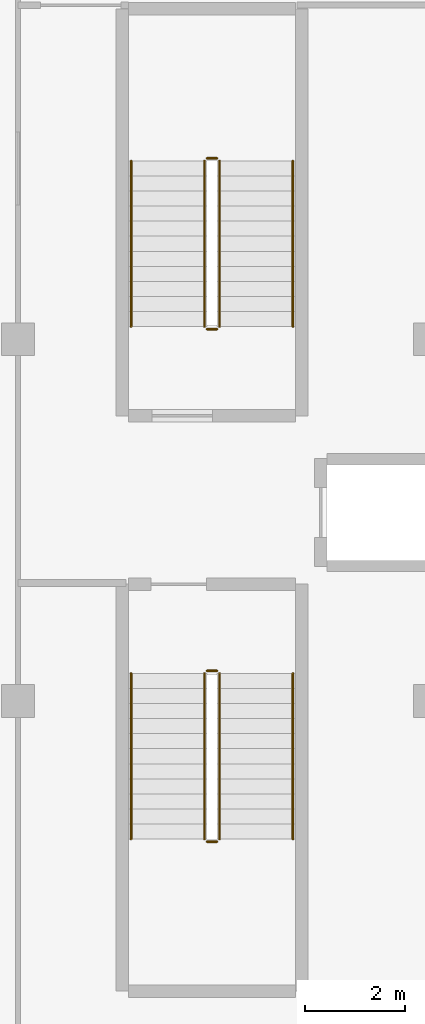
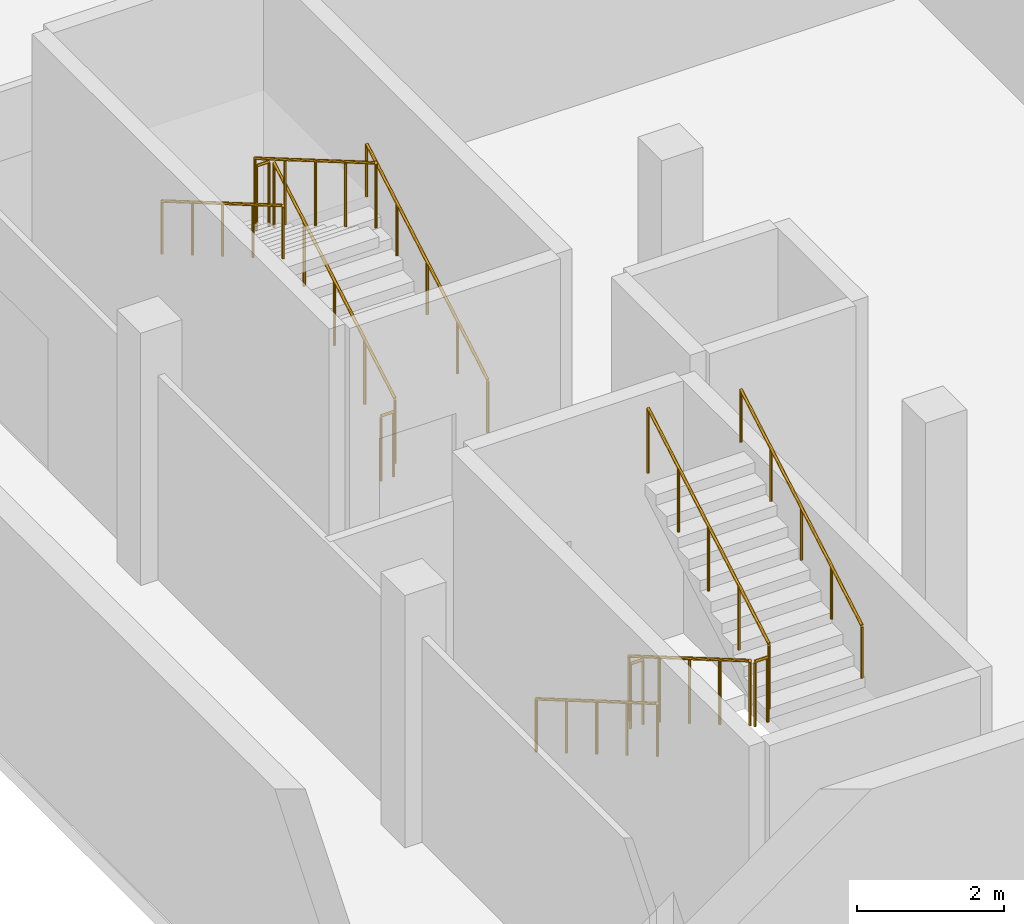
# One storey, part 14 of 15: 12 railings.
"""IFC4 building model written with IfcOpenShell, lengths in metres."""

from ifc_helpers import new_model, si_unit, direction, frame, origin, origin_2d, place, context, subcontext, project, spatial, circle, extrude, material, type_object, element, save


model = new_model("IFC4")

# Units and contexts
model_context = context("Model", 3, precision=1e-05, world=origin(), true_north=direction((0.0, 1.0)))
body_context = subcontext(model_context, "Body", "Model", "MODEL_VIEW")
ifc_project = project(units=[si_unit("LENGTHUNIT", "METRE"), si_unit("AREAUNIT", "SQUARE_METRE"), si_unit("VOLUMEUNIT", "CUBIC_METRE"), si_unit("PLANEANGLEUNIT", "RADIAN"), si_unit("MASSUNIT", "GRAM", prefix="KILO")], contexts=[model_context])

# Site, building, storey
site_placement = place(None, origin())
site = spatial("IfcSite", under=ifc_project, at=site_placement, CompositionType="ELEMENT")
building_placement = place(site_placement, origin())
building = spatial("IfcBuilding", under=site, at=building_placement, Name="Quillay Park Conservatory", CompositionType="ELEMENT")
storey_placement = place(building_placement, frame((0.0, 0.0, -4.199951171875)))
storey = spatial("IfcBuildingStorey", under=building, at=storey_placement, Name="B1", CompositionType="ELEMENT", Elevation=-4.199951171875)

# Railings
ifc_material_1 = material(Name="Steel S355J2H", Category="steel")
railing_type_1 = type_object("IfcRailingType", Name="STAIR WALL HANDRAIL 900", PredefinedType="HANDRAIL", material=ifc_material_1)
railing_1_placement = place(storey_placement, frame((150.25, 92.949951171875, 0.175048828125)))
element("IfcRailing", 1, at=railing_1_placement, inside=storey, type_object=railing_type_1, Name="B1 ST-A1 stair handrail 1", PredefinedType="HANDRAIL", context=body_context, shape_type="SweptSolid", body=[
    extrude(circle(Radius=0.02392578125, at=origin_2d()), frame((0.0, 0.0, 0.8759765625), z_axis=(0.0, -0.863804395585, 0.503827317807), x_axis=(1.0, 0.0, 0.0)), (0.0, 0.0, 1.0), 3.8203125),
    extrude(circle(Radius=0.02099609375, at=origin_2d()), origin(), (0.0, 0.0, 1.0), 0.851806640625),
    extrude(circle(Radius=0.02099609375, at=origin_2d()), frame((0.0, -0.824951171875, 0.481201171875)), (0.0, 0.0, 1.0), 0.851806640625),
    extrude(circle(Radius=0.02099609375, at=origin_2d()), frame((0.0, -1.64990234375, 0.96240234375)), (0.0, 0.0, 1.0), 0.851806640625),
    extrude(circle(Radius=0.02099609375, at=origin_2d()), frame((0.0, -2.47509765625, 1.443603515625)), (0.0, 0.0, 1.0), 0.851806640625),
    extrude(circle(Radius=0.02099609375, at=origin_2d()), frame((0.0, -3.300048828125, 1.9248046875)), (0.0, 0.0, 1.0), 0.851806640625),
])
railing_2_placement = place(storey_placement, frame((153.469970703125, 89.64990234375, 2.27490234375)))
element("IfcRailing", 2, at=railing_2_placement, inside=storey, type_object=railing_type_1, Name="B1 ST-A1 stair handrail 2", PredefinedType="HANDRAIL", context=body_context, shape_type="SweptSolid", body=[
    extrude(circle(Radius=0.02392578125, at=origin_2d()), frame((0.0, 0.0, 0.8759765625), z_axis=(0.0, 0.863776583165, 0.503874998761), x_axis=(-1.0, 0.0, 0.0)), (0.0, 0.0, 1.0), 3.820556640625),
    extrude(circle(Radius=0.02099609375, at=origin_2d()), origin(), (0.0, 0.0, 1.0), 0.851806640625),
    extrude(circle(Radius=0.02099609375, at=origin_2d()), frame((0.0, 0.824951171875, 0.481201171875)), (0.0, 0.0, 1.0), 0.851806640625),
    extrude(circle(Radius=0.02099609375, at=origin_2d()), frame((0.0, 1.64990234375, 0.96240234375)), (0.0, 0.0, 1.0), 0.851806640625),
    extrude(circle(Radius=0.02099609375, at=origin_2d()), frame((0.0, 2.47509765625, 1.44384765625)), (0.0, 0.0, 1.0), 0.851806640625),
    extrude(circle(Radius=0.02099609375, at=origin_2d()), frame((0.0, 3.300048828125, 1.925048828125)), (0.0, 0.0, 1.0), 0.851806640625),
])
railing_3_placement = place(storey_placement, frame((153.469970703125, 99.85009765625, 0.175048828125)))
element("IfcRailing", 3, at=railing_3_placement, inside=storey, type_object=railing_type_1, Name="B1 ST-A2 stair handrail 1", PredefinedType="HANDRAIL", context=body_context, shape_type="SweptSolid", body=[
    extrude(circle(Radius=0.02392578125, at=origin_2d()), frame((0.0, 0.0, 0.8759765625), z_axis=(0.0, 0.863788172461, 0.503855131081), x_axis=(-1.0, 0.0, 0.0)), (0.0, 0.0, 1.0), 3.820068359375),
    extrude(circle(Radius=0.02099609375, at=origin_2d()), origin(), (0.0, 0.0, 1.0), 0.851806640625),
    extrude(circle(Radius=0.02099609375, at=origin_2d()), frame((0.0, 0.824951171875, 0.481201171875)), (0.0, 0.0, 1.0), 0.851806640625),
    extrude(circle(Radius=0.02099609375, at=origin_2d()), frame((0.0, 1.64990234375, 0.96240234375)), (0.0, 0.0, 1.0), 0.851806640625),
    extrude(circle(Radius=0.02099609375, at=origin_2d()), frame((0.0, 2.474853515625, 1.443603515625)), (0.0, 0.0, 1.0), 0.851806640625),
    extrude(circle(Radius=0.02099609375, at=origin_2d()), frame((0.0, 3.2998046875, 1.9248046875)), (0.0, 0.0, 1.0), 0.851806640625),
])
railing_4_placement = place(storey_placement, frame((150.25, 103.14990234375, 2.27490234375)))
element("IfcRailing", 4, at=railing_4_placement, inside=storey, type_object=railing_type_1, Name="B1 ST-A2 stair handrail 2", PredefinedType="HANDRAIL", context=body_context, shape_type="SweptSolid", body=[
    extrude(circle(Radius=0.02392578125, at=origin_2d()), frame((0.0, 0.0, 0.8759765625), z_axis=(0.0, -0.863760357493, 0.503902812876), x_axis=(1.0, 0.0, 0.0)), (0.0, 0.0, 1.0), 3.8203125),
    extrude(circle(Radius=0.02099609375, at=origin_2d()), origin(), (0.0, 0.0, 1.0), 0.851806640625),
    extrude(circle(Radius=0.02099609375, at=origin_2d()), frame((0.0, -0.824951171875, 0.481201171875)), (0.0, 0.0, 1.0), 0.851806640625),
    extrude(circle(Radius=0.02099609375, at=origin_2d()), frame((0.0, -1.64990234375, 0.96240234375)), (0.0, 0.0, 1.0), 0.851806640625),
    extrude(circle(Radius=0.02099609375, at=origin_2d()), frame((0.0, -2.474853515625, 1.44384765625)), (0.0, 0.0, 1.0), 0.851806640625),
    extrude(circle(Radius=0.02099609375, at=origin_2d()), frame((0.0, -3.2998046875, 1.925048828125)), (0.0, 0.0, 1.0), 0.851806640625),
])
ifc_material_2 = material(Name="Steel S355J2H", Category="steel")
railing_type_2 = type_object("IfcRailingType", Name="STAIR WELL GUARDRAIL 1100", PredefinedType="GUARDRAIL", material=ifc_material_2)
railing_5_placement = place(storey_placement, frame((151.7099609375, 92.949951171875, 0.175048828125)))
element("IfcRailing", 5, at=railing_5_placement, inside=storey, type_object=railing_type_2, Name="B1 ST-A1 stair guard 1", PredefinedType="GUARDRAIL", context=body_context, shape_type="SweptSolid", body=[
    extrude(circle(Radius=0.02392578125, at=origin_2d()), frame((0.0, 0.0, 1.076171875), z_axis=(0.0, -0.863804395585, 0.503827317807), x_axis=(1.0, 0.0, 0.0)), (0.0, 0.0, 1.0), 3.8203125),
    extrude(circle(Radius=0.02099609375, at=origin_2d()), origin(), (0.0, 0.0, 1.0), 1.052001953125),
    extrude(circle(Radius=0.02099609375, at=origin_2d()), frame((0.0, -0.824951171875, 0.481201171875)), (0.0, 0.0, 1.0), 1.052001953125),
    extrude(circle(Radius=0.02099609375, at=origin_2d()), frame((0.0, -1.64990234375, 0.96240234375)), (0.0, 0.0, 1.0), 1.052001953125),
    extrude(circle(Radius=0.02099609375, at=origin_2d()), frame((0.0, -2.47509765625, 1.443603515625)), (0.0, 0.0, 1.0), 1.052001953125),
    extrude(circle(Radius=0.02099609375, at=origin_2d()), frame((0.0, -3.300048828125, 1.9248046875)), (0.0, 0.0, 1.0), 1.052001953125),
])
railing_6_placement = place(storey_placement, frame((151.760009765625, 89.60009765625, 2.099853515625)))
element("IfcRailing", 6, at=railing_6_placement, inside=storey, type_object=railing_type_2, Name="B1 ST-A1 stair guard 2", PredefinedType="GUARDRAIL", context=body_context, shape_type="SweptSolid", body=[
    extrude(circle(Radius=0.02392578125, at=origin_2d()), frame((0.0, 0.0, 1.076171875), z_axis=(1.0, 0.0, 0.0), x_axis=(0.0, 1.0, 0.0)), (0.0, 0.0, 1.0), 0.199951171875),
    extrude(circle(Radius=0.02099609375, at=origin_2d()), origin(), (0.0, 0.0, 1.0), 1.052001953125),
    extrude(circle(Radius=0.02099609375, at=origin_2d()), frame((0.199951171875, 0.0, 0.0)), (0.0, 0.0, 1.0), 1.052001953125),
])
railing_7_placement = place(storey_placement, frame((152.010009765625, 89.64990234375, 2.27490234375)))
element("IfcRailing", 7, at=railing_7_placement, inside=storey, type_object=railing_type_2, Name="B1 ST-A1 stair guard 3", PredefinedType="GUARDRAIL", context=body_context, shape_type="SweptSolid", body=[
    extrude(circle(Radius=0.02392578125, at=origin_2d()), frame((0.0, 0.0, 1.076171875), z_axis=(0.0, 0.863776583165, 0.503874998761), x_axis=(-1.0, 0.0, 0.0)), (0.0, 0.0, 1.0), 3.820556640625),
    extrude(circle(Radius=0.02099609375, at=origin_2d()), origin(), (0.0, 0.0, 1.0), 1.052001953125),
    extrude(circle(Radius=0.02099609375, at=origin_2d()), frame((0.0, 0.824951171875, 0.481201171875)), (0.0, 0.0, 1.0), 1.052001953125),
    extrude(circle(Radius=0.02099609375, at=origin_2d()), frame((0.0, 1.64990234375, 0.96240234375)), (0.0, 0.0, 1.0), 1.052001953125),
    extrude(circle(Radius=0.02099609375, at=origin_2d()), frame((0.0, 2.47509765625, 1.44384765625)), (0.0, 0.0, 1.0), 1.052001953125),
    extrude(circle(Radius=0.02099609375, at=origin_2d()), frame((0.0, 3.300048828125, 1.925048828125)), (0.0, 0.0, 1.0), 1.052001953125),
])
railing_8_placement = place(storey_placement, frame((151.760009765625, 93.0, 0.0)))
element("IfcRailing", 8, at=railing_8_placement, inside=storey, type_object=railing_type_2, Name="B1 ST-A1 stair guard 4", PredefinedType="GUARDRAIL", context=body_context, shape_type="SweptSolid", body=[
    extrude(circle(Radius=0.02392578125, at=origin_2d()), frame((0.0, 0.0, 1.076171875), z_axis=(1.0, 0.0, 0.0), x_axis=(0.0, 1.0, 0.0)), (0.0, 0.0, 1.0), 0.199951171875),
    extrude(circle(Radius=0.02099609375, at=origin_2d()), origin(), (0.0, 0.0, 1.0), 1.052001953125),
    extrude(circle(Radius=0.02099609375, at=origin_2d()), frame((0.199951171875, 0.0, 0.0)), (0.0, 0.0, 1.0), 1.052001953125),
])
railing_9_placement = place(storey_placement, frame((152.010009765625, 99.85009765625, 0.175048828125)))
element("IfcRailing", 9, at=railing_9_placement, inside=storey, type_object=railing_type_2, Name="B1 ST-A2 stair guard 1", PredefinedType="GUARDRAIL", context=body_context, shape_type="SweptSolid", body=[
    extrude(circle(Radius=0.02392578125, at=origin_2d()), frame((0.0, 0.0, 1.076171875), z_axis=(0.0, 0.863788172461, 0.503855131081), x_axis=(-1.0, 0.0, 0.0)), (0.0, 0.0, 1.0), 3.820068359375),
    extrude(circle(Radius=0.02099609375, at=origin_2d()), origin(), (0.0, 0.0, 1.0), 1.052001953125),
    extrude(circle(Radius=0.02099609375, at=origin_2d()), frame((0.0, 0.824951171875, 0.481201171875)), (0.0, 0.0, 1.0), 1.052001953125),
    extrude(circle(Radius=0.02099609375, at=origin_2d()), frame((0.0, 1.64990234375, 0.96240234375)), (0.0, 0.0, 1.0), 1.052001953125),
    extrude(circle(Radius=0.02099609375, at=origin_2d()), frame((0.0, 2.474853515625, 1.443603515625)), (0.0, 0.0, 1.0), 1.052001953125),
    extrude(circle(Radius=0.02099609375, at=origin_2d()), frame((0.0, 3.2998046875, 1.9248046875)), (0.0, 0.0, 1.0), 1.052001953125),
])
railing_10_placement = place(storey_placement, frame((151.9599609375, 103.199951171875, 2.099853515625)))
element("IfcRailing", 10, at=railing_10_placement, inside=storey, type_object=railing_type_2, Name="B1 ST-A2 stair guard 2", PredefinedType="GUARDRAIL", context=body_context, shape_type="SweptSolid", body=[
    extrude(circle(Radius=0.02392578125, at=origin_2d()), frame((0.0, 0.0, 1.076171875), z_axis=(-1.0, 0.0, 0.0), x_axis=(0.0, -1.0, 0.0)), (0.0, 0.0, 1.0), 0.199951171875),
    extrude(circle(Radius=0.02099609375, at=origin_2d()), origin(), (0.0, 0.0, 1.0), 1.052001953125),
    extrude(circle(Radius=0.02099609375, at=origin_2d()), frame((-0.199951171875, 0.0, 0.0)), (0.0, 0.0, 1.0), 1.052001953125),
])
railing_11_placement = place(storey_placement, frame((151.7099609375, 103.14990234375, 2.27490234375)))
element("IfcRailing", 11, at=railing_11_placement, inside=storey, type_object=railing_type_2, Name="B1 ST-A2 stair guard 3", PredefinedType="GUARDRAIL", context=body_context, shape_type="SweptSolid", body=[
    extrude(circle(Radius=0.02392578125, at=origin_2d()), frame((0.0, 0.0, 1.076171875), z_axis=(0.0, -0.863760357493, 0.503902812876), x_axis=(1.0, 0.0, 0.0)), (0.0, 0.0, 1.0), 3.8203125),
    extrude(circle(Radius=0.02099609375, at=origin_2d()), origin(), (0.0, 0.0, 1.0), 1.052001953125),
    extrude(circle(Radius=0.02099609375, at=origin_2d()), frame((0.0, -0.824951171875, 0.481201171875)), (0.0, 0.0, 1.0), 1.052001953125),
    extrude(circle(Radius=0.02099609375, at=origin_2d()), frame((0.0, -1.64990234375, 0.96240234375)), (0.0, 0.0, 1.0), 1.052001953125),
    extrude(circle(Radius=0.02099609375, at=origin_2d()), frame((0.0, -2.474853515625, 1.44384765625)), (0.0, 0.0, 1.0), 1.052001953125),
    extrude(circle(Radius=0.02099609375, at=origin_2d()), frame((0.0, -3.2998046875, 1.925048828125)), (0.0, 0.0, 1.0), 1.052001953125),
])
railing_12_placement = place(storey_placement, frame((151.9599609375, 99.800048828125, 0.0)))
element("IfcRailing", 12, at=railing_12_placement, inside=storey, type_object=railing_type_2, Name="B1 ST-A2 stair guard 4", PredefinedType="GUARDRAIL", context=body_context, shape_type="SweptSolid", body=[
    extrude(circle(Radius=0.02392578125, at=origin_2d()), frame((0.0, 0.0, 1.076171875), z_axis=(-1.0, 0.0, 0.0), x_axis=(0.0, -1.0, 0.0)), (0.0, 0.0, 1.0), 0.199951171875),
    extrude(circle(Radius=0.02099609375, at=origin_2d()), origin(), (0.0, 0.0, 1.0), 1.052001953125),
    extrude(circle(Radius=0.02099609375, at=origin_2d()), frame((-0.199951171875, 0.0, 0.0)), (0.0, 0.0, 1.0), 1.052001953125),
])

save(model, "model.ifc")
